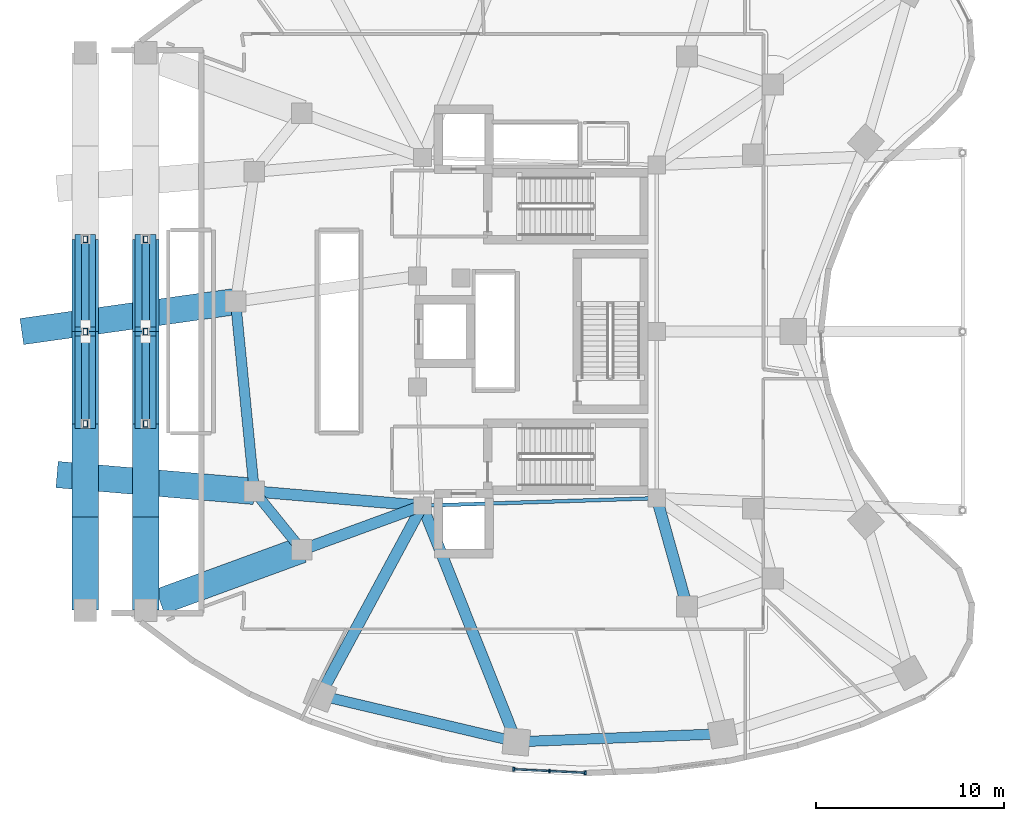
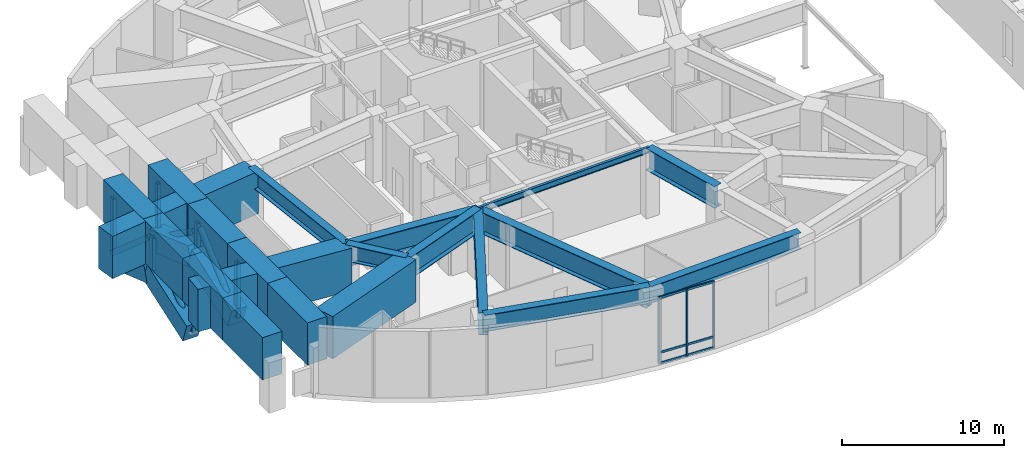
# One storey, part 6 of 23: 25 beams, 19 members, 1 element without a shape of its own.
"""IFC4 building model written with IfcOpenShell, lengths in metres."""

from ifc_helpers import new_model, si_unit, direction, frame, origin, origin_2d, place, context, subcontext, project, spatial, rectangle, hollow_rectangle, hollow_circle, i_section, extrude, material, layer, layer_set, material_profile, profile_set, type_object, element, aggregate, save


model = new_model("IFC4")

# Units and contexts
model_context = context("Model", 3, precision=1e-05, world=origin(), true_north=direction((0.0, 1.0)))
body_context = subcontext(model_context, "Body", "Model", "MODEL_VIEW")
ifc_project = project(units=[si_unit("LENGTHUNIT", "METRE"), si_unit("AREAUNIT", "SQUARE_METRE"), si_unit("VOLUMEUNIT", "CUBIC_METRE"), si_unit("PLANEANGLEUNIT", "RADIAN"), si_unit("MASSUNIT", "GRAM", prefix="KILO")], contexts=[model_context])

# Site, building, storey
site_placement = place(None, origin())
site = spatial("IfcSite", under=ifc_project, at=site_placement, CompositionType="ELEMENT")
building_placement = place(site_placement, origin())
building = spatial("IfcBuilding", under=site, at=building_placement, Name="Korentha Bioscience Tower", CompositionType="ELEMENT")
storey_placement = place(building_placement, frame((0.0, 0.0, 15.0)))
storey = spatial("IfcBuildingStorey", under=building, at=storey_placement, Name="L03", CompositionType="ELEMENT", Elevation=15.0)

# Members
ifc_material_1 = material(Name="Steel S355", Category="steel")
ifc_material_profile_1 = material_profile(ifc_material_1, hollow_circle(Radius=0.203125, WallThickness=0.02001953125, at=origin_2d()), Name="Steel S355")
ifc_profile_set_1 = profile_set([ifc_material_profile_1], Name="Steel S355 (AR-ST406)")
member_type_1 = type_object("IfcMemberType", Name="Arch Spandrel Diagonal Strut CHS 406.4x20", PredefinedType="STRUT", material=ifc_profile_set_1)
for number, where, z_axis, x_axis, name in (
    (1, (7.199951171875, 22.10009765625, -0.699951171875), (0.0, 0.755131298616, 0.655573582331), (-1.0, 0.0, 0.0), "Parabolic Arch Spandrel Strut 1-3"),
    (2, (7.199951171875, 31.89990234375, -0.699951171875), (0.0, -0.755131298616, 0.655573582331), (1.0, 0.0, 0.0), "Parabolic Arch Spandrel Strut 1-4"),
    (3, (10.39990234375, 22.10009765625, -0.699951171875), (0.0, 0.755131298616, 0.655573582331), (-1.0, 0.0, 0.0), "Parabolic Arch Spandrel Strut 2-3"),
):
    element("IfcMember", number, at=place(storey_placement, frame(where, z_axis=z_axis, x_axis=x_axis)), inside=storey, type_object=member_type_1, Name=name, PredefinedType="STRUT", context=body_context, shape_type="SweptSolid", body=[
        extrude(hollow_circle(Radius=0.203125, WallThickness=0.02001953125, at=origin_2d()), origin(), (0.0, 0.0, 1.0), 6.025146484375),
    ])
member_1_placement = place(storey_placement, frame((10.39990234375, 31.89990234375, -0.699951171875), z_axis=(0.0, -0.809488639151, 0.587135540642), x_axis=(1.0, 0.0, 0.0)))
element("IfcMember", 4, at=member_1_placement, inside=storey, type_object=member_type_1, Name="Parabolic Arch Spandrel Strut 2-4", PredefinedType="STRUT", context=body_context, shape_type="SweptSolid", body=[
    extrude(hollow_circle(Radius=0.203125, WallThickness=0.02001953125, at=origin_2d()), origin(), (0.0, 0.0, 1.0), 5.62060546875),
])
ifc_material_profile_2 = material_profile(ifc_material_1, hollow_rectangle(XDim=0.25, YDim=0.35009765625, WallThickness=0.01611328125, at=origin_2d()), Name="Steel S355")
ifc_profile_set_2 = profile_set([ifc_material_profile_2], Name="Steel S355 (BT-P350)")
member_type_2 = type_object("IfcMemberType", Name="Arch Spandrel Vertical Strut RHS 350x250x16", PredefinedType="STRUT", material=ifc_profile_set_2)
member_2_placement = place(storey_placement, frame((7.199951171875, 22.10009765625, -0.699951171875), z_axis=(0.0, 0.0, 1.0), x_axis=(1.0, 0.0, 0.0)))
element("IfcMember", 5, at=member_2_placement, inside=storey, type_object=member_type_2, Name="Parabolic Arch Spandrel Vertical 1-3", PredefinedType="STRUT", context=body_context, shape_type="SweptSolid", body=[
    extrude(hollow_rectangle(XDim=0.25, YDim=0.35009765625, WallThickness=0.01611328125, at=origin_2d()), origin(), (0.0, 0.0, 1.0), 4.14990234375),
])
member_3_placement = place(storey_placement, frame((7.199951171875, 27.0, 1.0), z_axis=(0.0, 0.0, 1.0), x_axis=(1.0, 0.0, 0.0)))
element("IfcMember", 6, at=member_3_placement, inside=storey, type_object=member_type_2, Name="Parabolic Arch Spandrel Vertical 1-4", PredefinedType="STRUT", context=body_context, shape_type="SweptSolid", body=[
    extrude(hollow_rectangle(XDim=0.25, YDim=0.35009765625, WallThickness=0.01611328125, at=origin_2d()), origin(), (0.0, 0.0, 1.0), 2.449951171875),
])
for number, where, z_axis, x_axis, name in (
    (7, (7.199951171875, 31.89990234375, -0.699951171875), (0.0, 0.0, 1.0), (1.0, 0.0, 0.0), "Parabolic Arch Spandrel Vertical 1-5"),
    (8, (10.39990234375, 22.10009765625, -0.699951171875), (0.0, 0.0, 1.0), (1.0, 0.0, 0.0), "Parabolic Arch Spandrel Vertical 2-3"),
):
    element("IfcMember", number, at=place(storey_placement, frame(where, z_axis=z_axis, x_axis=x_axis)), inside=storey, type_object=member_type_2, Name=name, PredefinedType="STRUT", context=body_context, shape_type="SweptSolid", body=[
        extrude(hollow_rectangle(XDim=0.25, YDim=0.35009765625, WallThickness=0.01611328125, at=origin_2d()), origin(), (0.0, 0.0, 1.0), 4.14990234375),
    ])
member_4_placement = place(storey_placement, frame((10.39990234375, 27.0, 1.0), z_axis=(0.0, 0.0, 1.0), x_axis=(1.0, 0.0, 0.0)))
element("IfcMember", 9, at=member_4_placement, inside=storey, type_object=member_type_2, Name="Parabolic Arch Spandrel Vertical 2-4", PredefinedType="STRUT", context=body_context, shape_type="SweptSolid", body=[
    extrude(hollow_rectangle(XDim=0.25, YDim=0.35009765625, WallThickness=0.01611328125, at=origin_2d()), origin(), (0.0, 0.0, 1.0), 2.449951171875),
])
member_5_placement = place(storey_placement, frame((10.39990234375, 31.89990234375, -0.699951171875), z_axis=(0.0, 0.0, 1.0), x_axis=(1.0, 0.0, 0.0)))
element("IfcMember", 10, at=member_5_placement, inside=storey, type_object=member_type_2, Name="Parabolic Arch Spandrel Vertical 2-5", PredefinedType="STRUT", context=body_context, shape_type="SweptSolid", body=[
    extrude(hollow_rectangle(XDim=0.25, YDim=0.35009765625, WallThickness=0.01611328125, at=origin_2d()), origin(), (0.0, 0.0, 1.0), 4.14990234375),
])

# Beams
ifc_material_profile_3 = material_profile(ifc_material_1, i_section(OverallWidth=0.550048828125, OverallDepth=1.25, WebThickness=0.02392578125, FlangeThickness=0.0400390625, at=origin_2d()), Name="Steel S355")
ifc_profile_set_3 = profile_set([ifc_material_profile_3], Name="Steel S355 (TG-03)")
beam_type_1 = type_object("IfcBeamType", Name="Crown Step Transfer Girder CVS 1250x510", PredefinedType="USERDEFINED", material=ifc_profile_set_3)
beam_1_placement = place(storey_placement, frame((15.1787109375, 28.593505859375, 4.425048828125), z_axis=(0.098243909277, -0.995162365793, 0.0), x_axis=(0.995162365793, 0.098243909277, 0.0)))
element("IfcBeam", 11, at=beam_1_placement, inside=storey, type_object=beam_type_1, Name="L03 Mid-Ring Tie Girder 07", ObjectType="TRANSFER_GIRDER", PredefinedType="USERDEFINED", context=body_context, shape_type="SweptSolid", body=[
    extrude(i_section(OverallWidth=0.550048828125, OverallDepth=1.25, WebThickness=0.02392578125, FlangeThickness=0.0400390625, at=origin_2d()), origin(), (0.0, 0.0, 1.0), 10.131591796875),
])
beam_2_placement = place(storey_placement, frame((16.174072265625, 18.510986328125, 4.425048828125), z_axis=(0.629790009744, -0.776765436684, 0.0), x_axis=(0.776765436684, 0.629790009744, 0.0)))
element("IfcBeam", 12, at=beam_2_placement, inside=storey, type_object=beam_type_1, Name="L03 Mid-Ring Tie Girder 08", ObjectType="TRANSFER_GIRDER", PredefinedType="USERDEFINED", context=body_context, shape_type="SweptSolid", body=[
    extrude(i_section(OverallWidth=0.550048828125, OverallDepth=1.25, WebThickness=0.02392578125, FlangeThickness=0.0400390625, at=origin_2d()), origin(), (0.0, 0.0, 1.0), 3.998291015625),
])
beam_3_placement = place(storey_placement, frame((19.66650390625, 7.671142578125, 4.425048828125), z_axis=(0.973207885376, -0.229926970672, 0.0), x_axis=(0.229926970672, 0.973207885376, 0.0)))
element("IfcBeam", 13, at=beam_3_placement, inside=storey, type_object=beam_type_1, Name="L03 Perimeter Spandrel Girder 10", ObjectType="TRANSFER_GIRDER", PredefinedType="USERDEFINED", context=body_context, shape_type="SweptSolid", body=[
    extrude(i_section(OverallWidth=0.550048828125, OverallDepth=1.25, WebThickness=0.02392578125, FlangeThickness=0.0400390625, at=origin_2d()), origin(), (0.0, 0.0, 1.0), 10.71484375),
])
beam_4_placement = place(storey_placement, frame((30.09423828125, 5.20751953125, 4.425048828125), z_axis=(0.999246003889, 0.03882555488, 0.0), x_axis=(-0.03882555488, 0.999246003889, 0.0)))
element("IfcBeam", 14, at=beam_4_placement, inside=storey, type_object=beam_type_1, Name="L03 Perimeter Spandrel Girder 11", ObjectType="TRANSFER_GIRDER", PredefinedType="USERDEFINED", context=body_context, shape_type="SweptSolid", body=[
    extrude(i_section(OverallWidth=0.550048828125, OverallDepth=1.25, WebThickness=0.02392578125, FlangeThickness=0.0400390625, at=origin_2d()), origin(), (0.0, 0.0, 1.0), 10.966552734375),
])
ifc_material_profile_4 = material_profile(ifc_material_1, i_section(OverallWidth=0.60009765625, OverallDepth=1.64990234375, WebThickness=0.02587890625, FlangeThickness=0.0439453125, at=origin_2d()), Name="Steel S355")
ifc_profile_set_4 = profile_set([ifc_material_profile_4], Name="Steel S355 (TG-04)")
beam_type_2 = type_object("IfcBeamType", Name="Deep Setback Transfer Girder CVS 1650x620", PredefinedType="USERDEFINED", material=ifc_profile_set_4)
beam_5_placement = place(storey_placement, frame((25.10009765625, 17.75, 4.22509765625), z_axis=(-0.996385503026, 0.08494662654, 0.0), x_axis=(-0.08494662654, -0.996385503026, 0.0)))
element("IfcBeam", 15, at=beam_5_placement, inside=storey, type_object=beam_type_2, Name="L03 Inner Radial Transfer Girder 08", ObjectType="TRANSFER_GIRDER", PredefinedType="USERDEFINED", context=body_context, shape_type="SweptSolid", body=[
    extrude(i_section(OverallWidth=0.60009765625, OverallDepth=1.64990234375, WebThickness=0.02587890625, FlangeThickness=0.0439453125, at=origin_2d()), origin(), (0.0, 0.0, 1.0), 8.95849609375),
])
beam_6_placement = place(storey_placement, frame((25.10009765625, 17.75, 4.22509765625), z_axis=(-0.939106237741, -0.343626940498, 0.0), x_axis=(0.343626940498, -0.939106237741, 0.0)))
element("IfcBeam", 16, at=beam_6_placement, inside=storey, type_object=beam_type_2, Name="L03 Inner Radial Transfer Girder 09", ObjectType="TRANSFER_GIRDER", PredefinedType="USERDEFINED", context=body_context, shape_type="SweptSolid", body=[
    extrude(i_section(OverallWidth=0.60009765625, OverallDepth=1.64990234375, WebThickness=0.02587890625, FlangeThickness=0.0439453125, at=origin_2d()), origin(), (0.0, 0.0, 1.0), 6.823486328125),
])
beam_7_placement = place(storey_placement, frame((25.10009765625, 17.75, 4.22509765625), z_axis=(-0.47454097106, -0.880233416081, 0.0), x_axis=(0.880233416081, -0.47454097106, 0.0)))
element("IfcBeam", 17, at=beam_7_placement, inside=storey, type_object=beam_type_2, Name="L03 Radial Transfer Girder 10", ObjectType="TRANSFER_GIRDER", PredefinedType="USERDEFINED", context=body_context, shape_type="SweptSolid", body=[
    extrude(i_section(OverallWidth=0.60009765625, OverallDepth=1.64990234375, WebThickness=0.02587890625, FlangeThickness=0.0439453125, at=origin_2d()), origin(), (0.0, 0.0, 1.0), 11.4501953125),
])
beam_8_placement = place(storey_placement, frame((25.10009765625, 17.75, 4.22509765625), z_axis=(0.369931007413, -0.929059228335, 0.0), x_axis=(0.929059228335, 0.369931007413, 0.0)))
element("IfcBeam", 18, at=beam_8_placement, inside=storey, type_object=beam_type_2, Name="L03 Radial Transfer Girder 11", ObjectType="TRANSFER_GIRDER", PredefinedType="USERDEFINED", context=body_context, shape_type="SweptSolid", body=[
    extrude(i_section(OverallWidth=0.60009765625, OverallDepth=1.64990234375, WebThickness=0.02587890625, FlangeThickness=0.0439453125, at=origin_2d()), origin(), (0.0, 0.0, 1.0), 13.500244140625),
])
beam_9_placement = place(storey_placement, frame((37.550048828125, 18.14990234375, 4.22509765625), z_axis=(0.269469369205, -0.963008961049, 0.0), x_axis=(0.963008961049, 0.269469369205, 0.0)))
element("IfcBeam", 19, at=beam_9_placement, inside=storey, type_object=beam_type_2, Name="L03 Inner Radial Transfer Girder 12", ObjectType="TRANSFER_GIRDER", PredefinedType="USERDEFINED", context=body_context, shape_type="SweptSolid", body=[
    extrude(i_section(OverallWidth=0.60009765625, OverallDepth=1.64990234375, WebThickness=0.02587890625, FlangeThickness=0.0439453125, at=origin_2d()), origin(), (0.0, 0.0, 1.0), 5.978759765625),
])
ifc_material_profile_5 = material_profile(ifc_material_1, i_section(OverallWidth=0.18994140625, OverallDepth=0.45703125, WebThickness=0.009033203125, FlangeThickness=0.014404296875, at=origin_2d()), Name="Steel S355")
ifc_profile_set_5 = profile_set([ifc_material_profile_5], Name="Steel S355 (MB-460)")
beam_type_3 = type_object("IfcBeamType", Name="Mid-Ring Tie Girder W460x74", PredefinedType="BEAM", material=ifc_profile_set_5)
beam_10_placement = place(storey_placement, frame((25.10009765625, 17.75, 4.821533203125), z_axis=(0.999484526071, 0.032104238723, 0.0), x_axis=(-0.032104238723, 0.999484526071, 0.0)))
element("IfcBeam", 20, at=beam_10_placement, inside=storey, type_object=beam_type_3, Name="L03 Core Ring Tie Girder 05", PredefinedType="BEAM", context=body_context, shape_type="SweptSolid", body=[
    extrude(i_section(OverallWidth=0.18994140625, OverallDepth=0.45703125, WebThickness=0.009033203125, FlangeThickness=0.014404296875, at=origin_2d()), origin(), (0.0, 0.0, 1.0), 12.456298828125),
])

# Curtain wall, members
ifc_material_2 = material(Name="Stone-Clad Aluminium Frame", Category="masonry")
ifc_layer = layer(ifc_material_2, 0.219970703125, Name="Stone-Clad Aluminium Frame")
ifc_layer_set = layer_set([ifc_layer], Name="Stone-Clad Aluminium Frame (CW-P1)")
curtain_wall_type = type_object("IfcCurtainWallType", Name="Podium Double-Height Stone-Mullion Curtain Wall CW-P1", PredefinedType="USERDEFINED", material=ifc_layer_set)
curtain_wall_placement = place(storey_placement, origin())
curtain_wall = element("IfcCurtainWall", 21, at=curtain_wall_placement, inside=storey, type_object=curtain_wall_type, Name="L03 Curtain Wall 31", ObjectType="UNITISED", PredefinedType="USERDEFINED")
ifc_material_3 = material(Name="Anodised Aluminium 6063-T6", Category="aluminium")
ifc_material_profile_6 = material_profile(ifc_material_3, rectangle(XDim=0.090087890625, YDim=0.199951171875, at=origin_2d()), Name="Anodised Aluminium 6063-T6")
ifc_profile_set_6 = profile_set([ifc_material_profile_6], Name="Anodised Aluminium 6063-T6 (CW-MUL)")
member_type_3 = type_object("IfcMemberType", Name="Mullion RECT 90x200", PredefinedType="MULLION", material=ifc_profile_set_6)
member_6_placement = place(storey_placement, frame((29.9541015625, 3.75244140625, 0.0), z_axis=(0.0, 0.0, 1.0), x_axis=(0.998730551641, -0.050371472279, 0.0)))
member_6 = element("IfcMember", 22, at=member_6_placement, type_object=member_type_3, Name="CW-L03-31 Mullion 1", PredefinedType="MULLION", context=body_context, shape_type="SweptSolid", body=[
    extrude(rectangle(XDim=0.090087890625, YDim=0.199951171875, at=origin_2d()), origin(), (0.0, 0.0, 1.0), 5.050048828125),
])
member_7_placement = place(storey_placement, frame((31.855224609375, 3.656494140625, 0.0), z_axis=(0.0, 0.0, 1.0), x_axis=(0.998730551641, -0.050371472279, 0.0)))
member_7 = element("IfcMember", 23, at=member_7_placement, type_object=member_type_3, Name="CW-L03-31 Mullion 2", PredefinedType="MULLION", context=body_context, shape_type="SweptSolid", body=[
    extrude(rectangle(XDim=0.090087890625, YDim=0.199951171875, at=origin_2d()), origin(), (0.0, 0.0, 1.0), 5.050048828125),
])
member_8_placement = place(storey_placement, frame((33.75634765625, 3.560791015625, 0.0), z_axis=(0.0, 0.0, 1.0), x_axis=(0.998730551641, -0.050371472279, 0.0)))
member_8 = element("IfcMember", 24, at=member_8_placement, type_object=member_type_3, Name="CW-L03-31 Mullion 3", PredefinedType="MULLION", context=body_context, shape_type="SweptSolid", body=[
    extrude(rectangle(XDim=0.090087890625, YDim=0.199951171875, at=origin_2d()), origin(), (0.0, 0.0, 1.0), 5.050048828125),
])

# Beams
ifc_material_4 = material(Name="Concrete C80", Category="concrete")
ifc_material_profile_7 = material_profile(ifc_material_4, rectangle(XDim=1.10009765625, YDim=1.5, at=origin_2d()), Name="Concrete C80")
ifc_profile_set_7 = profile_set([ifc_material_profile_7], Name="Concrete C80 (AR-B2)")
beam_type_4 = type_object("IfcBeamType", Name="Parabolic Arch Crown Rib 1500x1100", PredefinedType="USERDEFINED", material=ifc_profile_set_7)
for number, where, z_axis, x_axis, name in (
    (25, (7.199951171875, 22.10009765625, -0.699951171875), (0.0, 0.944757504378, 0.327770129695), (-1.0, 0.0, 0.0), "Parabolic Arch Rib Segment 1-3"),
    (26, (7.199951171875, 27.0, 1.0), (0.0, 0.944757504378, -0.327770129695), (-1.0, 0.0, 0.0), "Parabolic Arch Rib Segment 1-4"),
    (27, (10.39990234375, 22.10009765625, -0.699951171875), (0.0, 0.944757504378, 0.327770129695), (-1.0, 0.0, 0.0), "Parabolic Arch Rib Segment 2-3"),
    (28, (10.39990234375, 27.0, 1.0), (0.0, 0.944757504378, -0.327770129695), (-1.0, 0.0, 0.0), "Parabolic Arch Rib Segment 2-4"),
):
    element("IfcBeam", number, at=place(storey_placement, frame(where, z_axis=z_axis, x_axis=x_axis)), inside=storey, type_object=beam_type_4, Name=name, ObjectType="ARCH_RIB", PredefinedType="USERDEFINED", context=body_context, shape_type="SweptSolid", body=[
        extrude(rectangle(XDim=1.10009765625, YDim=1.5, at=origin_2d()), origin(), (0.0, 0.0, 1.0), 5.1865234375),
    ])
ifc_material_profile_8 = material_profile(ifc_material_4, rectangle(XDim=1.39990234375, YDim=3.199951171875, at=origin_2d()), Name="Concrete C80")
ifc_profile_set_8 = profile_set([ifc_material_profile_8], Name="Concrete C80 (TG-01)")
beam_type_5 = type_object("IfcBeamType", Name="Plaza Arch Transfer Girder 1400x3200", PredefinedType="USERDEFINED", material=ifc_profile_set_8)
beam_11_placement = place(storey_placement, frame((7.199951171875, 12.199951171875, 3.449951171875), z_axis=(0.0, 1.0, 0.0), x_axis=(-1.0, 0.0, 0.0)))
element("IfcBeam", 29, at=beam_11_placement, inside=storey, type_object=beam_type_5, Name="L03 Plaza Arch Transfer Girder 1-1", ObjectType="TRANSFER_GIRDER", PredefinedType="USERDEFINED", context=body_context, shape_type="SweptSolid", body=[
    extrude(rectangle(XDim=1.39990234375, YDim=3.199951171875, at=origin_2d()), origin(), (0.0, 0.0, 1.0), 4.949951171875),
])
beam_12_placement = place(storey_placement, frame((7.199951171875, 17.14990234375, 3.449951171875), z_axis=(0.0, 1.0, 0.0), x_axis=(-1.0, 0.0, 0.0)))
element("IfcBeam", 30, at=beam_12_placement, inside=storey, type_object=beam_type_5, Name="L03 Plaza Arch Transfer Girder 1-2", ObjectType="TRANSFER_GIRDER", PredefinedType="USERDEFINED", context=body_context, shape_type="SweptSolid", body=[
    extrude(rectangle(XDim=1.39990234375, YDim=3.199951171875, at=origin_2d()), origin(), (0.0, 0.0, 1.0), 4.9501953125),
])
for number, where, z_axis, x_axis, name in (
    (31, (7.199951171875, 22.10009765625, 3.449951171875), (0.0, 1.0, 0.0), (-1.0, 0.0, 0.0), "L03 Plaza Arch Transfer Girder 1-3"),
    (32, (7.199951171875, 27.0, 3.449951171875), (0.0, 1.0, 0.0), (-1.0, 0.0, 0.0), "L03 Plaza Arch Transfer Girder 1-4"),
):
    element("IfcBeam", number, at=place(storey_placement, frame(where, z_axis=z_axis, x_axis=x_axis)), inside=storey, type_object=beam_type_5, Name=name, ObjectType="TRANSFER_GIRDER", PredefinedType="USERDEFINED", context=body_context, shape_type="SweptSolid", body=[
        extrude(rectangle(XDim=1.39990234375, YDim=3.199951171875, at=origin_2d()), origin(), (0.0, 0.0, 1.0), 4.89990234375),
    ])
beam_13_placement = place(storey_placement, frame((10.39990234375, 12.199951171875, 3.449951171875), z_axis=(0.0, 1.0, 0.0), x_axis=(-1.0, 0.0, 0.0)))
element("IfcBeam", 33, at=beam_13_placement, inside=storey, type_object=beam_type_5, Name="L03 Plaza Arch Transfer Girder 2-1", ObjectType="TRANSFER_GIRDER", PredefinedType="USERDEFINED", context=body_context, shape_type="SweptSolid", body=[
    extrude(rectangle(XDim=1.39990234375, YDim=3.199951171875, at=origin_2d()), origin(), (0.0, 0.0, 1.0), 4.949951171875),
])
beam_14_placement = place(storey_placement, frame((10.39990234375, 17.14990234375, 3.449951171875), z_axis=(0.0, 1.0, 0.0), x_axis=(-1.0, 0.0, 0.0)))
element("IfcBeam", 34, at=beam_14_placement, inside=storey, type_object=beam_type_5, Name="L03 Plaza Arch Transfer Girder 2-2", ObjectType="TRANSFER_GIRDER", PredefinedType="USERDEFINED", context=body_context, shape_type="SweptSolid", body=[
    extrude(rectangle(XDim=1.39990234375, YDim=3.199951171875, at=origin_2d()), origin(), (0.0, 0.0, 1.0), 4.9501953125),
])
for number, where, z_axis, x_axis, name in (
    (35, (10.39990234375, 22.10009765625, 3.449951171875), (0.0, 1.0, 0.0), (-1.0, 0.0, 0.0), "L03 Plaza Arch Transfer Girder 2-3"),
    (36, (10.39990234375, 27.0, 3.449951171875), (0.0, 1.0, 0.0), (-1.0, 0.0, 0.0), "L03 Plaza Arch Transfer Girder 2-4"),
):
    element("IfcBeam", number, at=place(storey_placement, frame(where, z_axis=z_axis, x_axis=x_axis)), inside=storey, type_object=beam_type_5, Name=name, ObjectType="TRANSFER_GIRDER", PredefinedType="USERDEFINED", context=body_context, shape_type="SweptSolid", body=[
        extrude(rectangle(XDim=1.39990234375, YDim=3.199951171875, at=origin_2d()), origin(), (0.0, 0.0, 1.0), 4.89990234375),
    ])
beam_15_placement = place(storey_placement, frame((15.1787109375, 28.593505859375, 3.449951171875), z_axis=(-0.99030199745, -0.138931471762, 0.0), x_axis=(0.138931471762, -0.99030199745, 0.0)))
element("IfcBeam", 37, at=beam_15_placement, inside=storey, type_object=beam_type_5, Name="L03 Radial Arch Transfer Girder 07", ObjectType="TRANSFER_GIRDER", PredefinedType="USERDEFINED", context=body_context, shape_type="SweptSolid", body=[
    extrude(rectangle(XDim=1.39990234375, YDim=3.199951171875, at=origin_2d()), origin(), (0.0, 0.0, 1.0), 11.46435546875),
])
beam_16_placement = place(storey_placement, frame((16.174072265625, 18.510986328125, 3.449951171875), z_axis=(-0.996385601055, 0.084945476695, 0.0), x_axis=(-0.084945476695, -0.996385601055, 0.0)))
element("IfcBeam", 38, at=beam_16_placement, inside=storey, type_object=beam_type_5, Name="L03 Radial Arch Transfer Girder 08", ObjectType="TRANSFER_GIRDER", PredefinedType="USERDEFINED", context=body_context, shape_type="SweptSolid", body=[
    extrude(rectangle(XDim=1.39990234375, YDim=3.199951171875, at=origin_2d()), origin(), (0.0, 0.0, 1.0), 10.516357421875),
])
beam_17_placement = place(storey_placement, frame((18.692138671875, 15.4052734375, 3.449951171875), z_axis=(-0.939106299948, -0.343626770491, 0.0), x_axis=(0.343626770491, -0.939106299948, 0.0)))
element("IfcBeam", 39, at=beam_17_placement, inside=storey, type_object=beam_type_5, Name="L03 Radial Arch Transfer Girder 09", ObjectType="TRANSFER_GIRDER", PredefinedType="USERDEFINED", context=body_context, shape_type="SweptSolid", body=[
    extrude(rectangle(XDim=1.39990234375, YDim=3.199951171875, at=origin_2d()), origin(), (0.0, 0.0, 1.0), 8.010009765625),
])

# Member
ifc_material_profile_9 = material_profile(ifc_material_3, rectangle(XDim=0.090087890625, YDim=0.159912109375, at=origin_2d()), Name="Anodised Aluminium 6063-T6")
ifc_profile_set_9 = profile_set([ifc_material_profile_9], Name="Anodised Aluminium 6063-T6 (CW-TRN)")
member_type_4 = type_object("IfcMemberType", Name="Transom RECT 90x160", PredefinedType="USERDEFINED", material=ifc_profile_set_9)
member_9_placement = place(storey_placement, frame((29.9990234375, 3.750244140625, 0.044921875), z_axis=(0.998731776836, -0.050347174085, 0.0), x_axis=(0.050347174085, 0.998731776836, 0.0)))
member_9 = element("IfcMember", 40, at=member_9_placement, type_object=member_type_4, Name="CW-L03-31 Bay 1 Transom 1", ObjectType="TRANSOM", PredefinedType="USERDEFINED", context=body_context, shape_type="SweptSolid", body=[
    extrude(rectangle(XDim=0.090087890625, YDim=0.159912109375, at=origin_2d()), origin(), (0.0, 0.0, 1.0), 1.8134765625),
])

member_10_placement = place(storey_placement, frame((29.9990234375, 3.750244140625, 0.85009765625), z_axis=(0.998731776836, -0.050347174085, 0.0), x_axis=(0.050347174085, 0.998731776836, 0.0)))
member_10 = element("IfcMember", 41, at=member_10_placement, type_object=member_type_4, Name="CW-L03-31 Bay 1 Transom 2", ObjectType="TRANSOM", PredefinedType="USERDEFINED", context=body_context, shape_type="SweptSolid", body=[
    extrude(rectangle(XDim=0.090087890625, YDim=0.159912109375, at=origin_2d()), origin(), (0.0, 0.0, 1.0), 1.8134765625),
])

member_11_placement = place(storey_placement, frame((29.9990234375, 3.750244140625, 5.0048828125), z_axis=(0.998731776836, -0.050347174085, 0.0), x_axis=(0.050347174085, 0.998731776836, 0.0)))
member_11 = element("IfcMember", 42, at=member_11_placement, type_object=member_type_4, Name="CW-L03-31 Bay 1 Transom 3", ObjectType="TRANSOM", PredefinedType="USERDEFINED", context=body_context, shape_type="SweptSolid", body=[
    extrude(rectangle(XDim=0.090087890625, YDim=0.159912109375, at=origin_2d()), origin(), (0.0, 0.0, 1.0), 1.8134765625),
])

member_12_placement = place(storey_placement, frame((31.900146484375, 3.654296875, 0.044921875), z_axis=(0.998731776836, -0.050347174085, 0.0), x_axis=(0.050347174085, 0.998731776836, 0.0)))
member_12 = element("IfcMember", 43, at=member_12_placement, type_object=member_type_4, Name="CW-L03-31 Bay 2 Transom 1", ObjectType="TRANSOM", PredefinedType="USERDEFINED", context=body_context, shape_type="SweptSolid", body=[
    extrude(rectangle(XDim=0.090087890625, YDim=0.159912109375, at=origin_2d()), origin(), (0.0, 0.0, 1.0), 1.8134765625),
])

member_13_placement = place(storey_placement, frame((31.900146484375, 3.654296875, 0.85009765625), z_axis=(0.998731776836, -0.050347174085, 0.0), x_axis=(0.050347174085, 0.998731776836, 0.0)))
member_13 = element("IfcMember", 44, at=member_13_placement, type_object=member_type_4, Name="CW-L03-31 Bay 2 Transom 2", ObjectType="TRANSOM", PredefinedType="USERDEFINED", context=body_context, shape_type="SweptSolid", body=[
    extrude(rectangle(XDim=0.090087890625, YDim=0.159912109375, at=origin_2d()), origin(), (0.0, 0.0, 1.0), 1.8134765625),
])

member_14_placement = place(storey_placement, frame((31.900146484375, 3.654296875, 5.0048828125), z_axis=(0.998731776836, -0.050347174085, 0.0), x_axis=(0.050347174085, 0.998731776836, 0.0)))
member_14 = element("IfcMember", 45, at=member_14_placement, type_object=member_type_4, Name="CW-L03-31 Bay 2 Transom 3", ObjectType="TRANSOM", PredefinedType="USERDEFINED", context=body_context, shape_type="SweptSolid", body=[
    extrude(rectangle(XDim=0.090087890625, YDim=0.159912109375, at=origin_2d()), origin(), (0.0, 0.0, 1.0), 1.8134765625),
])

aggregate(curtain_wall, [member_6, member_7, member_8, member_9, member_10, member_11, member_12, member_13, member_14])

save(model, "model.ifc")
